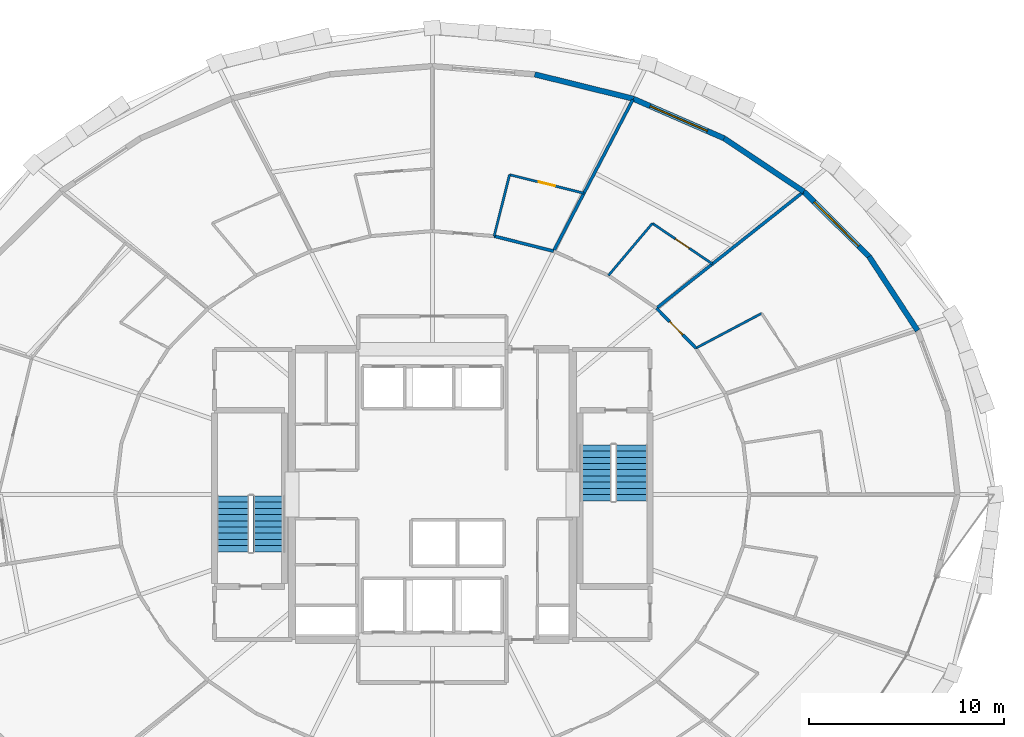
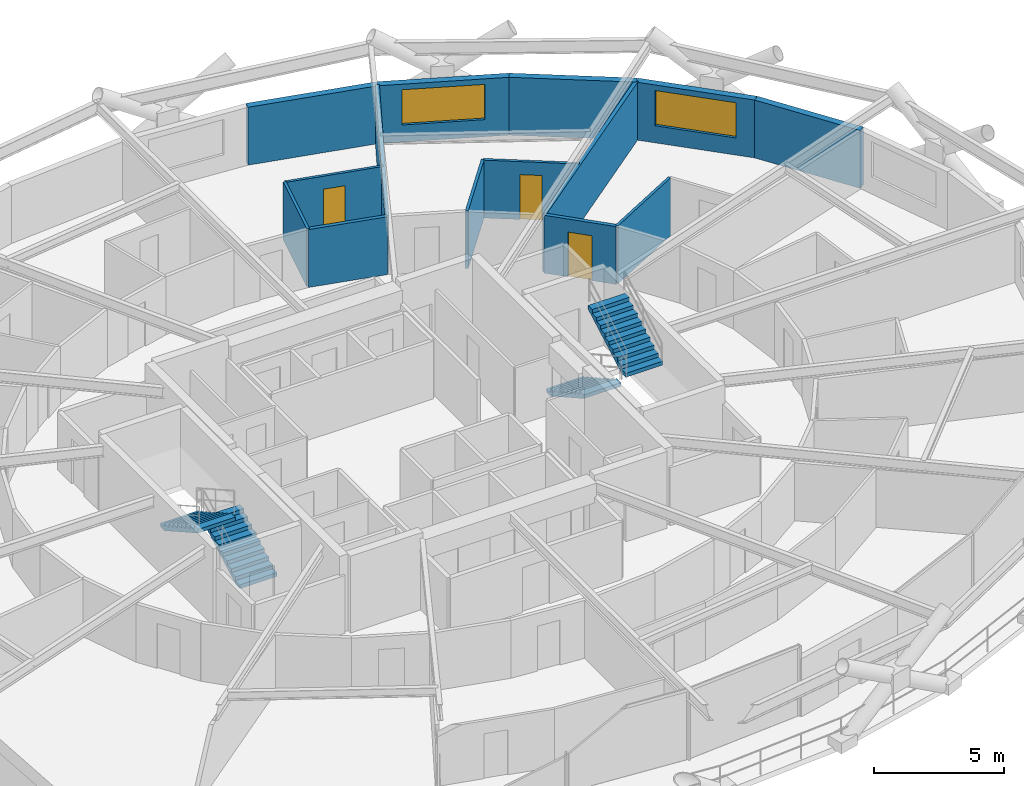
# One storey, part 18 of 21: 14 walls, 4 stair flights, 3 doors, 2 windows, 5 openings, 2 elements without a shape of their own.
"""IFC4 building model written with IfcOpenShell, lengths in metres."""

from ifc_helpers import new_model, si_unit, direction, frame, frame_2d, origin, place, context, subcontext, project, spatial, polyline, rectangle, outline, extrude, material, layer, layer_set, type_object, element, fill, aggregate, save


model = new_model("IFC4")

# Units and contexts
model_context = context("Model", 3, precision=1e-05, world=origin(), true_north=direction((0.0, 1.0)))
body_context = subcontext(model_context, "Body", "Model", "MODEL_VIEW")
ifc_project = project(units=[si_unit("LENGTHUNIT", "METRE"), si_unit("AREAUNIT", "SQUARE_METRE"), si_unit("VOLUMEUNIT", "CUBIC_METRE"), si_unit("PLANEANGLEUNIT", "RADIAN"), si_unit("MASSUNIT", "GRAM", prefix="KILO")], contexts=[model_context])

# Site, building, storey
site_placement = place(None, origin())
site = spatial("IfcSite", under=ifc_project, at=site_placement, CompositionType="ELEMENT")
building_placement = place(site_placement, origin())
building = spatial("IfcBuilding", under=site, at=building_placement, Name="Veldorina Hangang Commons", CompositionType="ELEMENT")
storey_placement = place(building_placement, frame((0.0, 0.0, 91.60009765625)))
storey = spatial("IfcBuildingStorey", under=building, at=storey_placement, Name="L23", CompositionType="ELEMENT", Elevation=91.60009765625)

# Wall
ifc_material_1 = material(Name="Stone Roman Travertine", Category="masonry")
ifc_layer_1 = layer(ifc_material_1, 0.280029296875)
ifc_layer_set_1 = layer_set([ifc_layer_1], Name="Stone Roman Travertine")
wall_type_1 = type_object("IfcWallType", Name="EW-TRAV-280", PredefinedType="STANDARD", material=ifc_layer_set_1)
wall_1_placement = place(storey_placement, frame((56.9091796875, 32.413330078125, 0.0), z_axis=(0.0, 0.0, 1.0), x_axis=(-0.548224545432, 0.836331183076, 0.0)))
element("IfcWall", 1, at=wall_1_placement, inside=storey, type_object=wall_type_1, Name="L23 travertine facade wall 02", PredefinedType="STANDARD", context=body_context, shape_type="SweptSolid", body=[
    extrude(rectangle(XDim=4.544677734375, YDim=0.280029296875, at=frame_2d((2.2724609375, 0.0))), origin(), (0.0, 0.0, 1.0), 2.7099609375),
])

# Wall, opening, window
wall_2_placement = place(storey_placement, frame((54.417724609375, 36.214111328125, 0.0), z_axis=(0.0, 0.0, 1.0), x_axis=(-0.709375776042, 0.704830482006, 0.0)))
wall_2 = element("IfcWall", 2, at=wall_2_placement, inside=storey, type_object=wall_type_1, Name="L23 travertine facade wall 03", PredefinedType="STANDARD", context=body_context, shape_type="SweptSolid", body=[
    extrude(rectangle(XDim=4.726806640625, YDim=0.280029296875, at=frame_2d((2.36328125, 0.0))), origin(), (0.0, 0.0, 1.0), 2.7099609375),
])
opening_1_placement = place(wall_2_placement, frame((0.76318359375, 0.0, 0.800048828125)))
opening_1 = element("IfcOpeningElement", 3, at=opening_1_placement, cuts=wall_2, Name="Opening W-01", PredefinedType="OPENING", context=body_context, shape_type="SweptSolid", body=[
    extrude(rectangle(XDim=3.199951171875, YDim=1.64990234375, at=frame_2d((1.60009765625, 0.824951171875))), frame((0.0, 0.14990234375, 0.0), z_axis=(0.0, -1.0, 0.0), x_axis=(1.0, 0.0, 0.0)), (0.0, 0.0, 1.0), 0.300048828125),
])
ifc_material_2 = material(Name="Glass Low-E Triple IGU", Category="glass")
window_type = type_object("IfcWindowType", Name="WIN-TWR-3200", PartitioningType="SINGLE_PANEL", PredefinedType="WINDOW", material=ifc_material_2)
window_1_placement = place(opening_1_placement, origin())
window_1 = element("IfcWindow", 4, at=window_1_placement, inside=storey, type_object=window_type, Name="L23 facade window 03", OverallHeight=1.64990234375, OverallWidth=3.199951171875, PartitioningType="SINGLE_PANEL", PredefinedType="WINDOW", context=body_context, shape_type="SweptSolid", body=[
    extrude(rectangle(XDim=3.199951171875, YDim=1.64990234375, at=frame_2d((1.60009765625, 0.824951171875))), frame((0.0, 0.030029296875, 0.0), z_axis=(0.0, -1.0, 0.0), x_axis=(1.0, 0.0, 0.0)), (0.0, 0.0, 1.0), 0.06005859375),
])
fill(opening_1, window_1)

# Wall
wall_3_placement = place(storey_placement, frame((51.064697265625, 39.545654296875, 0.0), z_axis=(0.0, 0.0, 1.0), x_axis=(-0.831078719633, 0.556154800189, 0.0)))
element("IfcWall", 5, at=wall_3_placement, inside=storey, type_object=wall_type_1, Name="L23 travertine facade wall 04", PredefinedType="STANDARD", context=body_context, shape_type="SweptSolid", body=[
    extrude(rectangle(XDim=4.916015625, YDim=0.280029296875, at=frame_2d((2.4580078125, 0.0))), origin(), (0.0, 0.0, 1.0), 2.7099609375),
])

# Wall, opening, window
wall_4_placement = place(storey_placement, frame((46.97900390625, 42.27978515625, 0.0), z_axis=(0.0, 0.0, 1.0), x_axis=(-0.916706336202, 0.399561626244, 0.0)))
wall_4 = element("IfcWall", 6, at=wall_4_placement, inside=storey, type_object=wall_type_1, Name="L23 travertine facade wall 05", PredefinedType="STANDARD", context=body_context, shape_type="SweptSolid", body=[
    extrude(rectangle(XDim=5.0849609375, YDim=0.280029296875, at=frame_2d((2.54248046875, 0.0))), origin(), (0.0, 0.0, 1.0), 2.7099609375),
])
opening_2_placement = place(wall_4_placement, frame((0.9423828125, 0.0, 0.800048828125)))
opening_2 = element("IfcOpeningElement", 7, at=opening_2_placement, cuts=wall_4, Name="Opening W-01", PredefinedType="OPENING", context=body_context, shape_type="SweptSolid", body=[
    extrude(rectangle(XDim=3.199951171875, YDim=1.64990234375, at=frame_2d((1.60009765625, 0.824951171875))), frame((0.0, 0.14990234375, 0.0), z_axis=(0.0, -1.0, 0.0), x_axis=(1.0, 0.0, 0.0)), (0.0, 0.0, 1.0), 0.300048828125),
])
window_2_placement = place(opening_2_placement, origin())
window_2 = element("IfcWindow", 8, at=window_2_placement, inside=storey, type_object=window_type, Name="L23 facade window 05", OverallHeight=1.64990234375, OverallWidth=3.199951171875, PartitioningType="SINGLE_PANEL", PredefinedType="WINDOW", context=body_context, shape_type="SweptSolid", body=[
    extrude(rectangle(XDim=3.199951171875, YDim=1.64990234375, at=frame_2d((1.60009765625, 0.824951171875))), frame((0.0, 0.030029296875, 0.0), z_axis=(0.0, -1.0, 0.0), x_axis=(1.0, 0.0, 0.0)), (0.0, 0.0, 1.0), 0.06005859375),
])
fill(opening_2, window_2)

# Wall
wall_5_placement = place(storey_placement, frame((42.317626953125, 44.3115234375, 0.0), z_axis=(0.0, 0.0, 1.0), x_axis=(-0.970745887498, 0.240109187466, 0.0)))
element("IfcWall", 9, at=wall_5_placement, inside=storey, type_object=wall_type_1, Name="L23 travertine facade wall 06", PredefinedType="STANDARD", context=body_context, shape_type="SweptSolid", body=[
    extrude(rectangle(XDim=5.2099609375, YDim=0.280029296875, at=frame_2d((2.60498046875, 0.0))), origin(), (0.0, 0.0, 1.0), 2.7099609375),
])

# Wall, opening, door
ifc_material_3 = material(Name="Gypsum Fire-Rated Twin Stud Wall", Category="gypsum")
ifc_layer_2 = layer(ifc_material_3, 0.159912109375)
ifc_layer_set_2 = layer_set([ifc_layer_2], Name="Gypsum Fire-Rated Twin Stud Wall")
wall_type_2 = type_object("IfcWallType", Name="WL-FIRE-160", PredefinedType="SOLIDWALL", material=ifc_layer_set_2)
wall_6_placement = place(storey_placement, frame((45.53125, 31.51025390625, 0.0), z_axis=(0.0, 0.0, 1.0), x_axis=(-0.702811997, 0.711375636969, 0.0)))
wall_6 = element("IfcWall", 10, at=wall_6_placement, inside=storey, type_object=wall_type_2, Name="L23 Corridor outer wall 03 051", PredefinedType="SOLIDWALL", context=body_context, shape_type="SweptSolid", body=[
    extrude(rectangle(XDim=2.87939453125, YDim=0.159912109375, at=frame_2d((1.439697265625, 0.0))), origin(), (0.0, 0.0, 1.0), 2.7099609375),
])
opening_3_placement = place(wall_6_placement, frame((0.96484375, 0.0, 0.0)))
opening_3 = element("IfcOpeningElement", 11, at=opening_3_placement, cuts=wall_6, Name="Opening D-03", PredefinedType="OPENING", context=body_context, shape_type="SweptSolid", body=[
    extrude(rectangle(XDim=0.949951171875, YDim=2.10009765625, at=frame_2d((0.47509765625, 1.050048828125))), frame((0.0, 0.08984375, 0.0), z_axis=(0.0, -1.0, 0.0), x_axis=(1.0, 0.0, 0.0)), (0.0, 0.0, 1.0), 0.179931640625),
])
ifc_material_4 = material(Name="Timber Fire-Rated Entrance Core", Category="wood")
door_type_1 = type_object("IfcDoorType", Name="DR-UNIT-950", OperationType="SINGLE_SWING_RIGHT", PredefinedType="DOOR", material=ifc_material_4)
door_1_placement = place(opening_3_placement, origin())
door_1 = element("IfcDoor", 12, at=door_1_placement, inside=storey, type_object=door_type_1, Name="L23 Studio 5 entrance door 029", OperationType="SINGLE_SWING_LEFT", OverallHeight=2.10009765625, OverallWidth=0.949951171875, PredefinedType="DOOR", context=body_context, shape_type="SweptSolid", body=[
    extrude(rectangle(XDim=0.949951171875, YDim=2.10009765625, at=frame_2d((0.47509765625, 1.050048828125))), frame((0.0, 0.02490234375, 0.0), z_axis=(0.0, -1.0, 0.0), x_axis=(1.0, 0.0, 0.0)), (0.0, 0.0, 1.0), 0.050048828125),
])
fill(opening_3, door_1)

# Walls
wall_7_placement = place(storey_placement, frame((38.227783203125, 36.489013671875, 0.0), z_axis=(0.0, 0.0, 1.0), x_axis=(-0.969689238064, 0.244341526521, 0.0)))
element("IfcWall", 13, at=wall_7_placement, inside=storey, type_object=wall_type_2, Name="L23 Corridor outer wall 06 054", PredefinedType="SOLIDWALL", context=body_context, shape_type="SweptSolid", body=[
    extrude(rectangle(XDim=3.1484375, YDim=0.159912109375, at=frame_2d((1.57421875, 0.0))), origin(), (0.0, 0.0, 1.0), 2.7099609375),
])
wall_8_placement = place(storey_placement, frame((43.507568359375, 33.55859375, 0.0), z_axis=(0.0, 0.0, 1.0), x_axis=(0.783820213827, 0.620987819846, 0.0)))
element("IfcWall", 14, at=wall_8_placement, inside=storey, type_object=wall_type_2, Name="L23 Unit party wall 04 097", PredefinedType="SOLIDWALL", context=body_context, shape_type="SweptSolid", body=[
    extrude(rectangle(XDim=9.59130859375, YDim=0.159912109375, at=frame_2d((4.795654296875, 0.0))), origin(), (0.0, 0.0, 1.0), 2.7099609375),
])
wall_9_placement = place(storey_placement, frame((38.227783203125, 36.489013671875, 0.0), z_axis=(0.0, 0.0, 1.0), x_axis=(0.463329180803, 0.886186250297, 0.0)))
element("IfcWall", 15, at=wall_9_placement, inside=storey, type_object=wall_type_2, Name="L23 Unit party wall 06 100", PredefinedType="SOLIDWALL", context=body_context, shape_type="SweptSolid", body=[
    extrude(rectangle(XDim=8.777099609375, YDim=0.159912109375, at=frame_2d((4.388671875, 0.0))), origin(), (0.0, 0.0, 1.0), 2.7099609375),
])
ifc_material_5 = material(Name="Gypsum Acoustic Stud Partition", Category="gypsum")
ifc_layer_3 = layer(ifc_material_5, 0.1201171875)
ifc_layer_set_3 = layer_set([ifc_layer_3], Name="Gypsum Acoustic Stud Partition")
wall_type_3 = type_object("IfcWallType", Name="WL-PART-120", PredefinedType="PARTITIONING", material=ifc_layer_set_3)
wall_10_placement = place(storey_placement, frame((45.53125, 31.51025390625, 0.0), z_axis=(0.0, 0.0, 1.0), x_axis=(0.88383609415, 0.46779670657, 0.0)))
element("IfcWall", 16, at=wall_10_placement, inside=storey, type_object=wall_type_3, Name="L23 Studio 5 bath side wall 096", PredefinedType="PARTITIONING", context=body_context, shape_type="SweptSolid", body=[
    extrude(rectangle(XDim=3.82080078125, YDim=0.1201171875, at=frame_2d((1.910400390625, 0.0))), origin(), (0.0, 0.0, 1.0), 2.7099609375),
])

# Wall, opening, door
wall_11_placement = place(storey_placement, frame((46.379150390625, 35.833740234375, 0.0), z_axis=(0.0, 0.0, 1.0), x_axis=(-0.828691848629, 0.559705118805, 0.0)))
wall_11 = element("IfcWall", 17, at=wall_11_placement, inside=storey, type_object=wall_type_3, Name="L23 Studio 6 bath front wall 098", PredefinedType="PARTITIONING", context=body_context, shape_type="SweptSolid", body=[
    extrude(rectangle(XDim=3.718505859375, YDim=0.1201171875, at=frame_2d((1.859375, 0.0))), origin(), (0.0, 0.0, 1.0), 2.7099609375),
])
opening_4_placement = place(wall_11_placement, frame((1.42919921875, 0.0, 0.0)))
opening_4 = element("IfcOpeningElement", 18, at=opening_4_placement, cuts=wall_11, Name="Opening D-01", PredefinedType="OPENING", context=body_context, shape_type="SweptSolid", body=[
    extrude(rectangle(XDim=0.860107421875, YDim=2.10009765625, at=frame_2d((0.43017578125, 1.050048828125))), frame((0.0, 0.070068359375, 0.0), z_axis=(0.0, -1.0, 0.0), x_axis=(1.0, 0.0, 0.0)), (0.0, 0.0, 1.0), 0.14013671875),
])
ifc_material_6 = material(Name="Timber Moisture-Resistant Core", Category="wood")
door_type_2 = type_object("IfcDoorType", Name="DR-WET-860", OperationType="SINGLE_SWING_LEFT", PredefinedType="DOOR", material=ifc_material_6)
door_2_placement = place(opening_4_placement, origin())
door_2 = element("IfcDoor", 19, at=door_2_placement, inside=storey, type_object=door_type_2, Name="L23 Studio 6 bathroom door 030", OperationType="SINGLE_SWING_RIGHT", OverallHeight=2.10009765625, OverallWidth=0.860107421875, PredefinedType="DOOR", context=body_context, shape_type="SweptSolid", body=[
    extrude(rectangle(XDim=0.860107421875, YDim=2.10009765625, at=frame_2d((0.43017578125, 1.050048828125))), frame((0.0, 0.02490234375, 0.0), z_axis=(0.0, -1.0, 0.0), x_axis=(1.0, 0.0, 0.0)), (0.0, 0.0, 1.0), 0.050048828125),
])
fill(opening_4, door_2)

# Wall
wall_12_placement = place(storey_placement, frame((41.041259765625, 35.23974609375, 0.0), z_axis=(0.0, 0.0, 1.0), x_axis=(0.644715569152, 0.764422549964, 0.0)))
element("IfcWall", 20, at=wall_12_placement, inside=storey, type_object=wall_type_3, Name="L23 Studio 6 bath side wall 099", PredefinedType="PARTITIONING", context=body_context, shape_type="SweptSolid", body=[
    extrude(rectangle(XDim=3.499755859375, YDim=0.1201171875, at=frame_2d((1.75, 0.0))), origin(), (0.0, 0.0, 1.0), 2.7099609375),
])

# Wall, opening, door
wall_13_placement = place(storey_placement, frame((39.781982421875, 39.461669921875, 0.0), z_axis=(0.0, 0.0, 1.0), x_axis=(-0.970233747501, 0.242170343376, 0.0)))
wall_13 = element("IfcWall", 21, at=wall_13_placement, inside=storey, type_object=wall_type_3, Name="L23 Studio 7 bath front wall 101", PredefinedType="PARTITIONING", context=body_context, shape_type="SweptSolid", body=[
    extrude(rectangle(XDim=3.931640625, YDim=0.1201171875, at=frame_2d((1.9658203125, 0.0))), origin(), (0.0, 0.0, 1.0), 2.7099609375),
])
opening_5_placement = place(wall_13_placement, frame((1.535888671875, 0.0, 0.0)))
opening_5 = element("IfcOpeningElement", 22, at=opening_5_placement, cuts=wall_13, Name="Opening D-01", PredefinedType="OPENING", context=body_context, shape_type="SweptSolid", body=[
    extrude(rectangle(XDim=0.860107421875, YDim=2.10009765625, at=frame_2d((0.43017578125, 1.050048828125))), frame((0.0, 0.070068359375, 0.0), z_axis=(0.0, -1.0, 0.0), x_axis=(1.0, 0.0, 0.0)), (0.0, 0.0, 1.0), 0.14013671875),
])
door_3_placement = place(opening_5_placement, origin())
door_3 = element("IfcDoor", 23, at=door_3_placement, inside=storey, type_object=door_type_2, Name="L23 Studio 7 bathroom door 032", OperationType="SINGLE_SWING_RIGHT", OverallHeight=2.10009765625, OverallWidth=0.860107421875, PredefinedType="DOOR", context=body_context, shape_type="SweptSolid", body=[
    extrude(rectangle(XDim=0.860107421875, YDim=2.10009765625, at=frame_2d((0.43017578125, 1.050048828125))), frame((0.0, 0.02490234375, 0.0), z_axis=(0.0, -1.0, 0.0), x_axis=(1.0, 0.0, 0.0)), (0.0, 0.0, 1.0), 0.050048828125),
])
fill(opening_5, door_3)

# Wall
wall_14_placement = place(storey_placement, frame((35.1748046875, 37.25830078125, 0.0), z_axis=(0.0, 0.0, 1.0), x_axis=(0.243577205712, 0.969881510731, 0.0)))
element("IfcWall", 24, at=wall_14_placement, inside=storey, type_object=wall_type_3, Name="L23 Studio 7 bath side wall 102", PredefinedType="PARTITIONING", context=body_context, shape_type="SweptSolid", body=[
    extrude(rectangle(XDim=3.25341796875, YDim=0.1201171875, at=frame_2d((1.626708984375, 0.0))), origin(), (0.0, 0.0, 1.0), 2.7099609375),
])

# Stair, stair flights
ifc_material_7 = material(Name="Concrete C40/50", Category="concrete")
stair_type = type_object("IfcStairType", Name="STR-DOG-1650-20R", PredefinedType="HALF_TURN_STAIR", material=ifc_material_7)
stair_1_placement = place(storey_placement, origin())
stair_1 = element("IfcStair", 25, at=stair_1_placement, inside=storey, type_object=stair_type, Name="L23 Exit stair ST-1", PredefinedType="HALF_TURN_STAIR")
stair_flight_type = type_object("IfcStairFlightType", Name="SFL-STR-1650-20R", PredefinedType="STRAIGHT", material=ifc_material_7)
stair_flight_1_placement = place(storey_placement, frame((23.625, 21.050048828125, 0.0), z_axis=(0.0, 0.0, 1.0), x_axis=(0.0, 1.0, 0.0)))
stair_flight_1 = element("IfcStairFlight", 26, at=stair_flight_1_placement, type_object=stair_flight_type, Name="ST-1 flight 1", NumberOfRisers=10, NumberOfTreads=9, PredefinedType="STRAIGHT", RiserHeight=0.18, TreadLength=0.32, context=body_context, shape_type="SweptSolid", body=[
    extrude(outline(polyline([(0.0, 0.0), (0.0, 0.179931640625), (0.320068359375, 0.179931640625), (0.320068359375, 0.360107421875), (0.639892578125, 0.360107421875), (0.639892578125, 0.5400390625), (0.9599609375, 0.5400390625), (0.9599609375, 0.719970703125), (1.280029296875, 0.719970703125), (1.280029296875, 0.89990234375), (1.60009765625, 0.89990234375), (1.60009765625, 1.080078125), (1.919921875, 1.080078125), (1.919921875, 1.260009765625), (2.239990234375, 1.260009765625), (2.239990234375, 1.43994140625), (2.56005859375, 1.43994140625), (2.56005859375, 1.6201171875), (2.8798828125, 1.6201171875), (2.8798828125, 1.800048828125), (2.8798828125, 1.447998046875), (0.3056640625, 0.0), (0.0, 0.0)])), frame((0.0, 0.824951171875, 0.0), z_axis=(0.0, -1.0, 0.0), x_axis=(1.0, 0.0, 0.0)), (0.0, 0.0, 1.0), 1.64990234375),
])
stair_flight_2_placement = place(storey_placement, frame((21.77490234375, 23.929931640625, 1.7998046875), z_axis=(0.0, 0.0, 1.0), x_axis=(0.0, -1.0, 0.0)))
stair_flight_2 = element("IfcStairFlight", 27, at=stair_flight_2_placement, type_object=stair_flight_type, Name="ST-1 flight 2", NumberOfRisers=10, NumberOfTreads=9, PredefinedType="STRAIGHT", RiserHeight=0.18, TreadLength=0.32, context=body_context, shape_type="SweptSolid", body=[
    extrude(outline(polyline([(0.0, 0.0), (0.0, 0.179931640625), (0.320068359375, 0.179931640625), (0.320068359375, 0.360107421875), (0.639892578125, 0.360107421875), (0.639892578125, 0.5400390625), (0.9599609375, 0.5400390625), (0.9599609375, 0.719970703125), (1.280029296875, 0.719970703125), (1.280029296875, 0.89990234375), (1.60009765625, 0.89990234375), (1.60009765625, 1.080078125), (1.919921875, 1.080078125), (1.919921875, 1.260009765625), (2.239990234375, 1.260009765625), (2.239990234375, 1.43994140625), (2.56005859375, 1.43994140625), (2.56005859375, 1.6201171875), (2.8798828125, 1.6201171875), (2.8798828125, 1.800048828125), (2.8798828125, 1.447998046875), (0.3056640625, 0.0), (0.0, 0.0)])), frame((0.0, 0.824951171875, 0.0), z_axis=(0.0, -1.0, 0.0), x_axis=(1.0, 0.0, 0.0)), (0.0, 0.0, 1.0), 1.64990234375),
])
aggregate(stair_1, [stair_flight_1, stair_flight_2])

stair_2_placement = place(storey_placement, origin())
stair_2 = element("IfcStair", 28, at=stair_2_placement, inside=storey, type_object=stair_type, Name="L23 Exit stair ST-2", PredefinedType="HALF_TURN_STAIR")
stair_flight_3_placement = place(storey_placement, frame((40.375, 26.550048828125, 0.0), z_axis=(0.0, 0.0, 1.0), x_axis=(0.0, -1.0, 0.0)))
stair_flight_3 = element("IfcStairFlight", 29, at=stair_flight_3_placement, type_object=stair_flight_type, Name="ST-2 flight 1", NumberOfRisers=10, NumberOfTreads=9, PredefinedType="STRAIGHT", RiserHeight=0.18, TreadLength=0.32, context=body_context, shape_type="SweptSolid", body=[
    extrude(outline(polyline([(0.0, 0.0), (0.0, 0.179931640625), (0.320068359375, 0.179931640625), (0.320068359375, 0.360107421875), (0.639892578125, 0.360107421875), (0.639892578125, 0.5400390625), (0.9599609375, 0.5400390625), (0.9599609375, 0.719970703125), (1.280029296875, 0.719970703125), (1.280029296875, 0.89990234375), (1.60009765625, 0.89990234375), (1.60009765625, 1.080078125), (1.919921875, 1.080078125), (1.919921875, 1.260009765625), (2.239990234375, 1.260009765625), (2.239990234375, 1.43994140625), (2.56005859375, 1.43994140625), (2.56005859375, 1.6201171875), (2.8798828125, 1.6201171875), (2.8798828125, 1.800048828125), (2.8798828125, 1.447998046875), (0.3056640625, 0.0), (0.0, 0.0)])), frame((0.0, 0.824951171875, 0.0), z_axis=(0.0, -1.0, 0.0), x_axis=(1.0, 0.0, 0.0)), (0.0, 0.0, 1.0), 1.64990234375),
])
stair_flight_4_placement = place(storey_placement, frame((42.22509765625, 23.669921875, 1.7998046875), z_axis=(0.0, 0.0, 1.0), x_axis=(0.0, 1.0, 0.0)))
stair_flight_4 = element("IfcStairFlight", 30, at=stair_flight_4_placement, type_object=stair_flight_type, Name="ST-2 flight 2", NumberOfRisers=10, NumberOfTreads=9, PredefinedType="STRAIGHT", RiserHeight=0.18, TreadLength=0.32, context=body_context, shape_type="SweptSolid", body=[
    extrude(outline(polyline([(0.0, 0.0), (0.0, 0.179931640625), (0.320068359375, 0.179931640625), (0.320068359375, 0.360107421875), (0.639892578125, 0.360107421875), (0.639892578125, 0.5400390625), (0.9599609375, 0.5400390625), (0.9599609375, 0.719970703125), (1.280029296875, 0.719970703125), (1.280029296875, 0.89990234375), (1.60009765625, 0.89990234375), (1.60009765625, 1.080078125), (1.919921875, 1.080078125), (1.919921875, 1.260009765625), (2.239990234375, 1.260009765625), (2.239990234375, 1.43994140625), (2.56005859375, 1.43994140625), (2.56005859375, 1.6201171875), (2.8798828125, 1.6201171875), (2.8798828125, 1.800048828125), (2.8798828125, 1.447998046875), (0.3056640625, 0.0), (0.0, 0.0)])), frame((0.0, 0.824951171875, 0.0), z_axis=(0.0, -1.0, 0.0), x_axis=(1.0, 0.0, 0.0)), (0.0, 0.0, 1.0), 1.64990234375),
])
aggregate(stair_2, [stair_flight_3, stair_flight_4])

save(model, "model.ifc")
